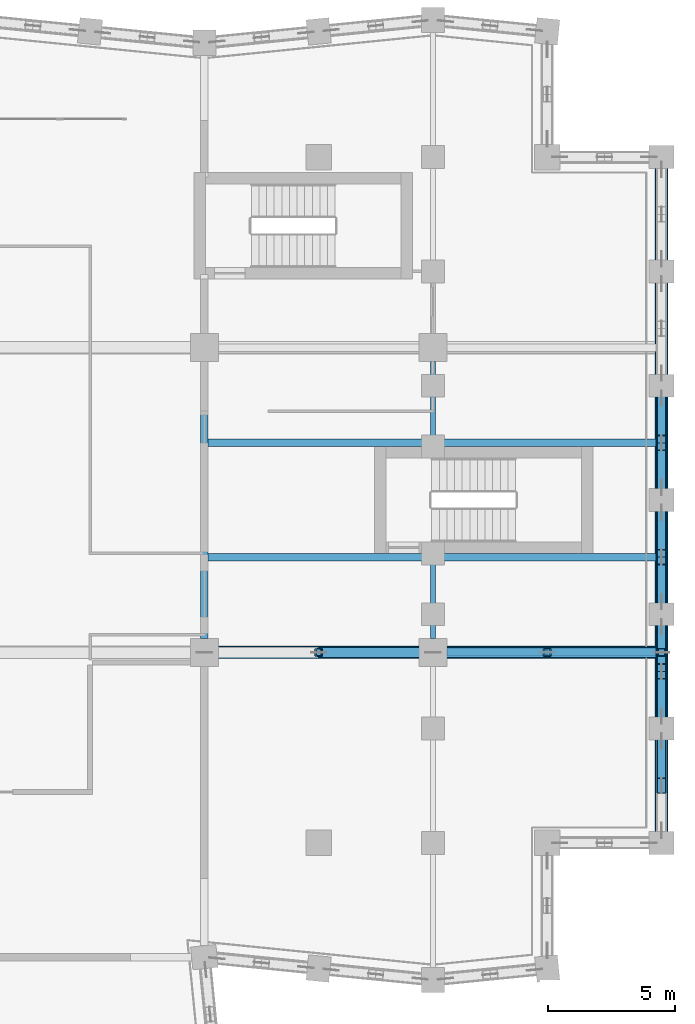
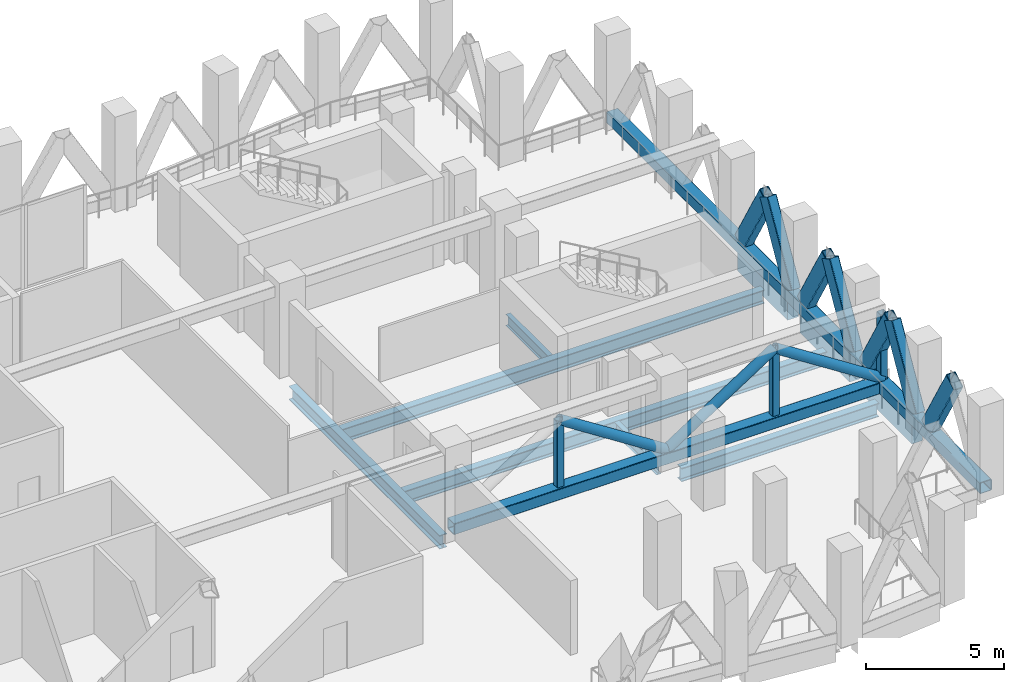
# One storey, part 4 of 18: 15 members, 9 beams.
"""IFC4 building model written with IfcOpenShell, lengths in metres."""

from ifc_helpers import new_model, si_unit, direction, frame, origin, origin_2d, place, context, subcontext, project, spatial, rectangle, hollow_rectangle, hollow_circle, i_section, extrude, material, material_profile, profile_set, type_object, element, save


model = new_model("IFC4")

# Units and contexts
model_context = context("Model", 3, precision=1e-05, world=origin(), true_north=direction((0.0, 1.0)))
body_context = subcontext(model_context, "Body", "Model", "MODEL_VIEW")
ifc_project = project(units=[si_unit("LENGTHUNIT", "METRE"), si_unit("AREAUNIT", "SQUARE_METRE"), si_unit("VOLUMEUNIT", "CUBIC_METRE"), si_unit("PLANEANGLEUNIT", "RADIAN"), si_unit("MASSUNIT", "GRAM", prefix="KILO")], contexts=[model_context])

# Site, building, storey
site_placement = place(None, origin())
site = spatial("IfcSite", under=ifc_project, at=site_placement, CompositionType="ELEMENT")
building_placement = place(site_placement, origin())
building = spatial("IfcBuilding", under=site, at=building_placement, Name="Brondeck Convention Tower", CompositionType="ELEMENT")
storey_placement = place(building_placement, frame((0.0, 0.0, 248.199951171875)))
storey = spatial("IfcBuildingStorey", under=building, at=storey_placement, Name="L61", CompositionType="ELEMENT", Elevation=248.199951171875)

# Members
ifc_material_1 = material(Name="Steel S460", Category="steel")
ifc_material_profile_1 = material_profile(ifc_material_1, hollow_rectangle(XDim=0.39990234375, YDim=0.699951171875, WallThickness=0.030029296875, InnerFilletRadius=0.030029296875, OuterFilletRadius=0.06005859375, at=origin_2d()), Name="RHS 700x400x30")
ifc_profile_set_1 = profile_set([ifc_material_profile_1], Name="Steel S460")
member_type_1 = type_object("IfcMemberType", Name="Chevron brace RHS 700x400x30", PredefinedType="BRACE", material=ifc_profile_set_1)
for number, where, z_axis, x_axis, name in (
    (1, (54.0, 35.510986328125, 0.5), (0.0, -0.500008478926, 0.866020508419), (1.0, 0.0, 0.0), "Belt truss BT-61-15 diagonal"),
    (2, (54.0, 36.489013671875, 0.5), (0.0, 0.500008478926, 0.866020508419), (-1.0, 0.0, 0.0), "Belt truss BT-61-16 diagonal"),
    (3, (54.0, 40.010986328125, 0.5), (0.0, -0.500008478926, 0.866020508419), (1.0, 0.0, 0.0), "Belt truss BT-61-16 diagonal"),
    (4, (54.0, 40.989013671875, 0.5), (0.0, 0.500008478926, 0.866020508419), (-1.0, 0.0, 0.0), "Belt truss BT-61-17 diagonal"),
    (5, (54.0, 44.510986328125, 0.5), (0.0, -0.500008478926, 0.866020508419), (1.0, 0.0, 0.0), "Belt truss BT-61-17 diagonal"),
    (6, (54.0, 45.489013671875, 0.5), (0.0, 0.500008478926, 0.866020508419), (-1.0, 0.0, 0.0), "Belt truss BT-61-18 diagonal"),
    (7, (54.0, 49.010986328125, 0.5), (0.0, -0.500008478926, 0.866020508419), (1.0, 0.0, 0.0), "Belt truss BT-61-18 diagonal"),
):
    element("IfcMember", number, at=place(storey_placement, frame(where, z_axis=z_axis, x_axis=x_axis)), inside=storey, type_object=member_type_1, Name=name, PredefinedType="BRACE", context=body_context, shape_type="SweptSolid", body=[
        extrude(hollow_rectangle(XDim=0.39990234375, YDim=0.699951171875, WallThickness=0.030029296875, InnerFilletRadius=0.030029296875, OuterFilletRadius=0.06005859375, at=origin_2d()), origin(), (0.0, 0.0, 1.0), 3.52197265625),
    ])

# Beams
ifc_material_2 = material(Name="Steel S355", Category="steel")
ifc_material_profile_2 = material_profile(ifc_material_2, i_section(OverallWidth=0.199951171875, OverallDepth=0.5, WebThickness=0.01025390625, FlangeThickness=0.01611328125, FilletRadius=0.02099609375, at=origin_2d()), Name="IPE 500")
ifc_profile_set_2 = profile_set([ifc_material_profile_2], Name="Steel S355")
beam_type_1 = type_object("IfcBeamType", Name="Floor beam IPE 500", PredefinedType="BEAM", material=ifc_profile_set_2)
for number, where, z_axis, x_axis, name in (
    (8, (45.0, 39.550048828125, -0.699951171875), (0.0, 1.0, 0.0), (-1.0, 0.0, 0.0), "STR-FB-L61-003"),
    (9, (45.0, 47.39990234375, -0.699951171875), (0.0, 1.0, 0.0), (-1.0, 0.0, 0.0), "STR-FB-L61-004"),
):
    element("IfcBeam", number, at=place(storey_placement, frame(where, z_axis=z_axis, x_axis=x_axis)), inside=storey, type_object=beam_type_1, Name=name, PredefinedType="BEAM", context=body_context, shape_type="SweptSolid", body=[
        extrude(i_section(OverallWidth=0.199951171875, OverallDepth=0.5, WebThickness=0.01025390625, FlangeThickness=0.01611328125, FilletRadius=0.02099609375, at=origin_2d()), origin(), (0.0, 0.0, 1.0), 3.050048828125),
    ])
ifc_material_profile_3 = material_profile(ifc_material_2, i_section(OverallWidth=0.300048828125, OverallDepth=0.60009765625, WebThickness=0.015380859375, FlangeThickness=0.030029296875, FilletRadius=0.027099609375, at=origin_2d()), Name="HEB 600")
ifc_profile_set_3 = profile_set([ifc_material_profile_3], Name="Steel S355")
beam_type_2 = type_object("IfcBeamType", Name="Girder HEB 600", PredefinedType="BEAM", material=ifc_profile_set_3)
beam_1_placement = place(storey_placement, frame((45.550048828125, 39.0, -0.75), z_axis=(1.0, 0.0, 0.0), x_axis=(0.0, 1.0, 0.0)))
element("IfcBeam", 10, at=beam_1_placement, inside=storey, type_object=beam_type_2, Name="STR-GR-L61-002", PredefinedType="BEAM", context=body_context, shape_type="SweptSolid", body=[
    extrude(i_section(OverallWidth=0.300048828125, OverallDepth=0.60009765625, WebThickness=0.015380859375, FlangeThickness=0.030029296875, FilletRadius=0.027099609375, at=origin_2d()), origin(), (0.0, 0.0, 1.0), 8.224853515625),
])
beam_2_placement = place(storey_placement, frame((36.0, 39.550048828125, -0.75), z_axis=(0.0, 1.0, 0.0), x_axis=(-1.0, 0.0, 0.0)))
element("IfcBeam", 11, at=beam_2_placement, inside=storey, type_object=beam_type_2, Name="STR-GR-L61-006", PredefinedType="BEAM", context=body_context, shape_type="SweptSolid", body=[
    extrude(i_section(OverallWidth=0.300048828125, OverallDepth=0.60009765625, WebThickness=0.015380859375, FlangeThickness=0.030029296875, FilletRadius=0.027099609375, at=origin_2d()), origin(), (0.0, 0.0, 1.0), 10.89990234375),
])
for number, where, z_axis, x_axis, name in (
    (12, (36.14990234375, 42.75, -0.75), (1.0, 0.0, 0.0), (0.0, 1.0, 0.0), "STR-GR-L61-016"),
    (13, (36.14990234375, 47.25, -0.75), (1.0, 0.0, 0.0), (0.0, 1.0, 0.0), "STR-GR-L61-017"),
):
    element("IfcBeam", number, at=place(storey_placement, frame(where, z_axis=z_axis, x_axis=x_axis)), inside=storey, type_object=beam_type_2, Name=name, PredefinedType="BEAM", context=body_context, shape_type="SweptSolid", body=[
        extrude(i_section(OverallWidth=0.300048828125, OverallDepth=0.60009765625, WebThickness=0.015380859375, FlangeThickness=0.030029296875, FilletRadius=0.027099609375, at=origin_2d()), origin(), (0.0, 0.0, 1.0), 17.625),
    ])
ifc_material_3 = material(Name="Concrete C50/60", Category="concrete")
ifc_material_profile_4 = material_profile(ifc_material_3, rectangle(XDim=0.449951171875, YDim=0.800048828125, at=origin_2d()), Name="Precast spandrel 450x800 Concrete C50/60")
ifc_profile_set_4 = profile_set([ifc_material_profile_4], Name="Concrete C50/60")
beam_type_3 = type_object("IfcBeamType", Name="Precast spandrel 450x800 Concrete C50/60", PredefinedType="SPANDREL", material=ifc_profile_set_4)
for number, where, z_axis, x_axis, name in (
    (14, (54.0, 36.449951171875, -0.39990234375), (0.0, 1.0, 0.0), (-1.0, 0.0, 0.0), "STR-SP-L61-016"),
    (15, (54.0, 40.949951171875, -0.39990234375), (0.0, 1.0, 0.0), (-1.0, 0.0, 0.0), "STR-SP-L61-017"),
    (16, (54.0, 45.449951171875, -0.39990234375), (0.0, 1.0, 0.0), (-1.0, 0.0, 0.0), "STR-SP-L61-018"),
):
    element("IfcBeam", number, at=place(storey_placement, frame(where, z_axis=z_axis, x_axis=x_axis)), inside=storey, type_object=beam_type_3, Name=name, PredefinedType="SPANDREL", context=body_context, shape_type="SweptSolid", body=[
        extrude(rectangle(XDim=0.449951171875, YDim=0.800048828125, at=origin_2d()), origin(), (0.0, 0.0, 1.0), 3.60009765625),
    ])

# Members
ifc_material_profile_5 = material_profile(ifc_material_1, hollow_rectangle(XDim=0.5, YDim=0.5, WallThickness=0.02490234375, InnerFilletRadius=0.02490234375, OuterFilletRadius=0.050048828125, at=origin_2d()), Name="RHS 500x500x25")
ifc_profile_set_5 = profile_set([ifc_material_profile_5], Name="Steel S460")
member_type_2 = type_object("IfcMemberType", Name="Truss chord RHS 500x500x25", PredefinedType="CHORD", material=ifc_profile_set_5)
member_1_placement = place(storey_placement, frame((54.0, 31.5, 0.25), z_axis=(0.0, 1.0, 0.0), x_axis=(-1.0, 0.0, 0.0)))
element("IfcMember", 17, at=member_1_placement, inside=storey, type_object=member_type_2, Name="Belt truss BT-61-9 chord", PredefinedType="CHORD", context=body_context, shape_type="SweptSolid", body=[
    extrude(hollow_rectangle(XDim=0.5, YDim=0.5, WallThickness=0.02490234375, InnerFilletRadius=0.02490234375, OuterFilletRadius=0.050048828125, at=origin_2d()), origin(), (0.0, 0.0, 1.0), 27.0),
])
member_2_placement = place(storey_placement, frame((36.0, 39.0, 0.25), z_axis=(1.0, 0.0, 0.0), x_axis=(0.0, 1.0, 0.0)))
element("IfcMember", 18, at=member_2_placement, inside=storey, type_object=member_type_2, Name="Outrigger truss OT-61-A1 chord", PredefinedType="CHORD", context=body_context, shape_type="SweptSolid", body=[
    extrude(hollow_rectangle(XDim=0.5, YDim=0.5, WallThickness=0.02490234375, InnerFilletRadius=0.02490234375, OuterFilletRadius=0.050048828125, at=origin_2d()), origin(), (0.0, 0.0, 1.0), 18.0),
])
ifc_material_profile_6 = material_profile(ifc_material_1, hollow_circle(Radius=0.203125, WallThickness=0.02490234375, at=origin_2d()), Name="CHS 406.4x25")
ifc_profile_set_6 = profile_set([ifc_material_profile_6], Name="Steel S460")
member_type_3 = type_object("IfcMemberType", Name="Truss diagonal CHS 406.4x25", PredefinedType="BRACE", material=ifc_profile_set_6)
for number, where, z_axis, x_axis, name in (
    (19, (40.5, 39.0, 3.400146484375), (0.840558575931, 0.0, -0.541720666422), (0.0, 1.0, 0.0), "Outrigger truss OT-61-A1 diagonal"),
    (20, (45.0, 39.0, 0.5), (0.840558575931, 0.0, 0.541720666422), (0.0, 1.0, 0.0), "Outrigger truss OT-61-A1 diagonal"),
    (21, (49.5, 39.0, 3.400146484375), (0.840558575931, 0.0, -0.541720666422), (0.0, 1.0, 0.0), "Outrigger truss OT-61-A1 diagonal"),
):
    element("IfcMember", number, at=place(storey_placement, frame(where, z_axis=z_axis, x_axis=x_axis)), inside=storey, type_object=member_type_3, Name=name, PredefinedType="BRACE", context=body_context, shape_type="SweptSolid", body=[
        extrude(hollow_circle(Radius=0.203125, WallThickness=0.02490234375, at=origin_2d()), origin(), (0.0, 0.0, 1.0), 5.353515625),
    ])
ifc_material_profile_7 = material_profile(ifc_material_1, hollow_rectangle(XDim=0.300048828125, YDim=0.300048828125, WallThickness=0.01611328125, InnerFilletRadius=0.01611328125, OuterFilletRadius=0.031982421875, at=origin_2d()), Name="RHS 300x300x16")
ifc_profile_set_7 = profile_set([ifc_material_profile_7], Name="Steel S460")
member_type_4 = type_object("IfcMemberType", Name="Truss vertical RHS 300x300x16", PredefinedType="STRUT", material=ifc_profile_set_7)
for number, where, z_axis, x_axis, name in (
    (22, (40.5, 39.0, 0.5), (0.0, 0.0, 1.0), (1.0, 0.0, 0.0), "Outrigger truss OT-61-A1 vertical"),
    (23, (49.5, 39.0, 0.5), (0.0, 0.0, 1.0), (1.0, 0.0, 0.0), "Outrigger truss OT-61-A1 vertical"),
    (24, (54.0, 39.0, 0.5), (0.0, 0.0, 1.0), (1.0, 0.0, 0.0), "Outrigger truss OT-61-A1 vertical"),
):
    element("IfcMember", number, at=place(storey_placement, frame(where, z_axis=z_axis, x_axis=x_axis)), inside=storey, type_object=member_type_4, Name=name, PredefinedType="STRUT", context=body_context, shape_type="SweptSolid", body=[
        extrude(hollow_rectangle(XDim=0.300048828125, YDim=0.300048828125, WallThickness=0.01611328125, InnerFilletRadius=0.01611328125, OuterFilletRadius=0.031982421875, at=origin_2d()), origin(), (0.0, 0.0, 1.0), 2.900146484375),
    ])

save(model, "model.ifc")
